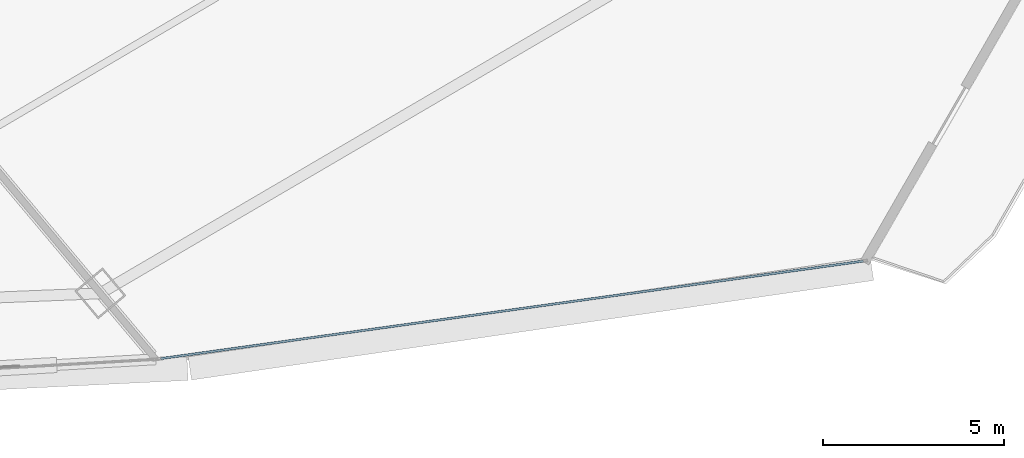
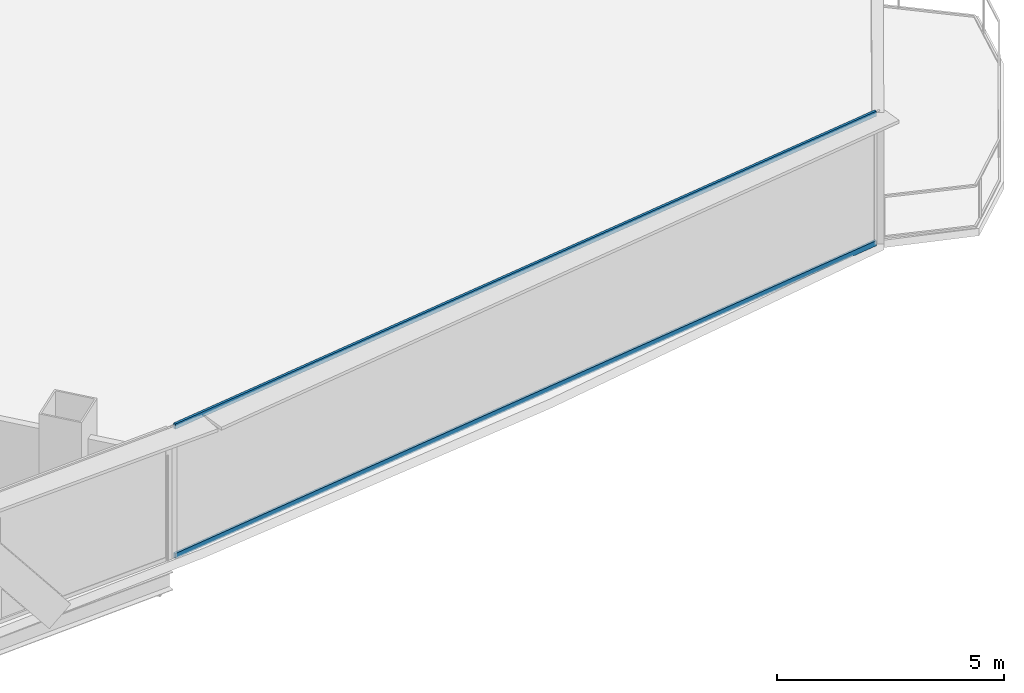
# One storey, part 19 of 37: 2 members, 1 element without a shape of its own.
"""IFC4 building model written with IfcOpenShell, lengths in metres."""

from ifc_helpers import new_model, si_unit, direction, frame, origin, origin_2d, place, context, subcontext, project, spatial, hollow_rectangle, extrude, source, transform, mapped, material, layer, layer_set, material_profile, profile_set, type_object, element, aggregate, save


model = new_model("IFC4")

# Units and contexts
model_context = context("Model", 3, precision=1e-05, world=origin(), true_north=direction((0.0, 1.0)))
body_context = subcontext(model_context, "Body", "Model", "MODEL_VIEW")
ifc_project = project(units=[si_unit("LENGTHUNIT", "METRE"), si_unit("AREAUNIT", "SQUARE_METRE"), si_unit("VOLUMEUNIT", "CUBIC_METRE"), si_unit("PLANEANGLEUNIT", "RADIAN"), si_unit("MASSUNIT", "GRAM", prefix="KILO"), si_unit("THERMODYNAMICTEMPERATUREUNIT", "KELVIN"), si_unit("POWERUNIT", "WATT")], contexts=[model_context])

# Site, building, storey
site_placement = place(None, origin())
site = spatial("IfcSite", under=ifc_project, at=site_placement, CompositionType="ELEMENT")
building_placement = place(site_placement, origin())
building = spatial("IfcBuilding", under=site, at=building_placement, Name="Yunzhuo Pagoda Commons", CompositionType="ELEMENT")
storey_placement = place(building_placement, frame((0.0, 0.0, 84.97998046875)))
storey = spatial("IfcBuildingStorey", under=building, at=storey_placement, Name="L21", CompositionType="ELEMENT", Elevation=84.97998046875)

# Curtain wall, members
ifc_material = material(Name="Anodized aluminium 6063-T6", Category="aluminium")
ifc_layer = layer(ifc_material, 0.1650390625)
ifc_layer_set = layer_set([ifc_layer], Name="Anodized aluminium 6063-T6")
curtain_wall_type = type_object("IfcCurtainWallType", Name="CW-LOW Low-Zone Ribbon Curtain Wall", PredefinedType="NOTDEFINED", material=ifc_layer_set)
curtain_wall_placement = place(storey_placement, origin())
curtain_wall = element("IfcCurtainWall", 1, at=curtain_wall_placement, inside=storey, type_object=curtain_wall_type, Name="L21 curtain wall CW-L21-F1B5", PredefinedType="NOTDEFINED")
ifc_material_profile = material_profile(ifc_material, hollow_rectangle(XDim=0.06005859375, YDim=0.139892578125, WallThickness=0.00341796875, at=origin_2d()), Name="Anodized aluminium 6063-T6")
ifc_profile_set = profile_set([ifc_material_profile], Name="Anodized aluminium 6063-T6")
member_type = type_object("IfcMemberType", Name="CW-LOW-T Transom RHS 140x60x3.5", PredefinedType="USERDEFINED", material=ifc_profile_set)
shared_shape = source(origin(), body_context, "Body", "SweptSolid", [
    extrude(hollow_rectangle(XDim=0.06005859375, YDim=0.139892578125, WallThickness=0.00341796875, at=origin_2d()), origin(), (0.0, 0.0, 1.0), 19.557861328125),
])
member_1_placement = place(storey_placement, frame((66.100830078125, 12.312744140625, 0.030029296875), z_axis=(0.990501720506, 0.137500333359, 0.0), x_axis=(-0.137500333359, 0.990501720506, 0.0)))
member_1 = element("IfcMember", 2, at=member_1_placement, type_object=member_type, Name="CW transom 1.1", ObjectType="TRANSOM", PredefinedType="USERDEFINED", context=body_context, shape_type="MappedRepresentation", body=[
    mapped(shared_shape, transform((0.0, 0.0, 0.0), scale=1.0)),
])
member_2_placement = place(storey_placement, frame((66.100830078125, 12.312744140625, 3.510009765625), z_axis=(0.990501720506, 0.137500333359, 0.0), x_axis=(-0.137500333359, 0.990501720506, 0.0)))
member_2 = element("IfcMember", 3, at=member_2_placement, type_object=member_type, Name="CW transom 1.2", ObjectType="TRANSOM", PredefinedType="USERDEFINED", context=body_context, shape_type="MappedRepresentation", body=[
    mapped(shared_shape, transform((0.0, 0.0, 0.0), scale=1.0)),
])
aggregate(curtain_wall, [member_1, member_2])

save(model, "model.ifc")
